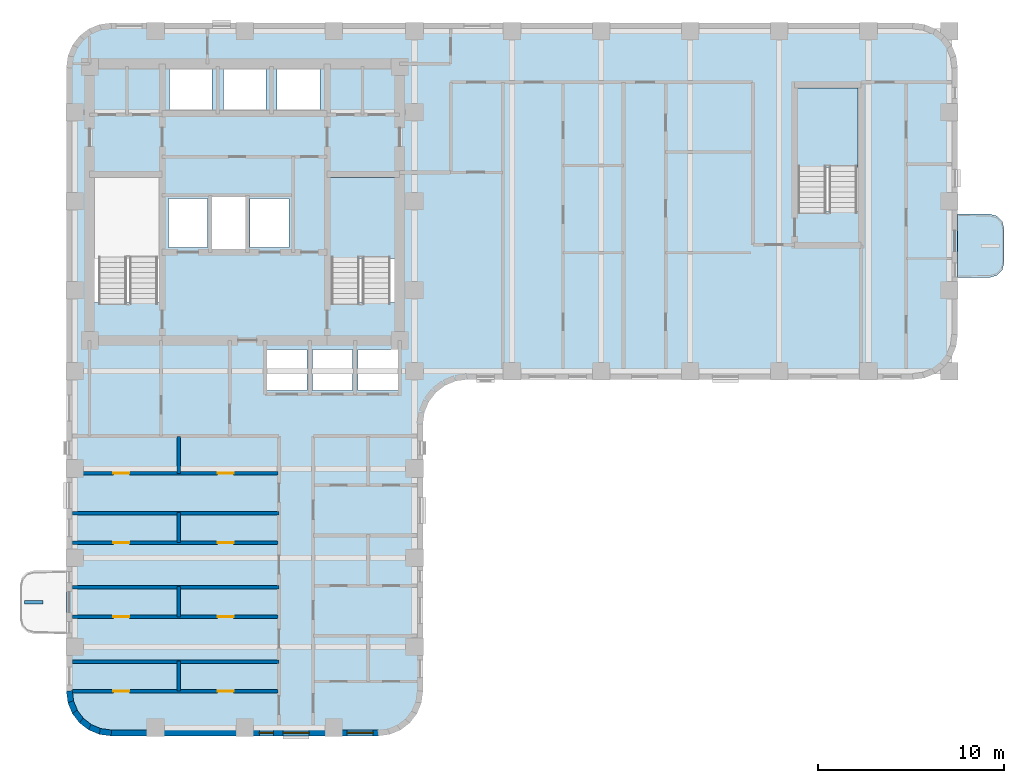
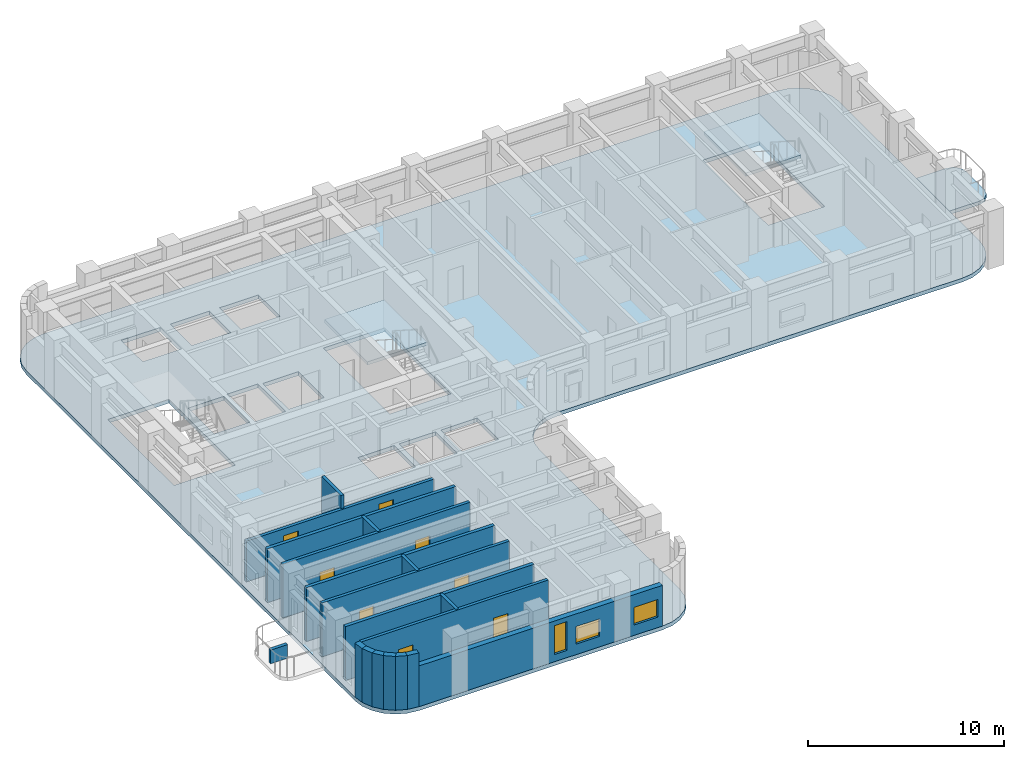
# One storey, part 2 of 10: 19 walls, 8 doors, 4 slabs, 3 windows, 11 openings, 2 elements without a shape of their own.
"""IFC4 building model written with IfcOpenShell, lengths in metres."""

from ifc_helpers import new_model, si_unit, direction, frame, frame_2d, origin, place, context, subcontext, project, spatial, polyline, rectangle, outline, extrude, material, layer, layer_set, type_object, element, fill, aggregate, save


model = new_model("IFC4")

# Units and contexts
model_context = context("Model", 3, precision=1e-05, world=origin(), true_north=direction((0.0, 1.0)))
body_context = subcontext(model_context, "Body", "Model", "MODEL_VIEW")
ifc_project = project(units=[si_unit("LENGTHUNIT", "METRE"), si_unit("AREAUNIT", "SQUARE_METRE"), si_unit("VOLUMEUNIT", "CUBIC_METRE"), si_unit("PLANEANGLEUNIT", "RADIAN"), si_unit("MASSUNIT", "GRAM", prefix="KILO")], contexts=[model_context])

# Site, building, storey
site_placement = place(None, origin())
site = spatial("IfcSite", under=ifc_project, at=site_placement, CompositionType="ELEMENT")
building_placement = place(site_placement, origin())
building = spatial("IfcBuilding", under=site, at=building_placement, Name="Orvandelia Arch Residences", CompositionType="ELEMENT")
storey_placement = place(building_placement, frame((0.0, 0.0, 110.800048828125)))
storey = spatial("IfcBuildingStorey", under=building, at=storey_placement, Name="L28", CompositionType="ELEMENT", Elevation=110.800048828125)

# Slab
ifc_material_1 = material(Name="Precast concrete C40/50", Category="concrete")
ifc_layer_1 = layer(ifc_material_1, 0.219970703125, Name="Precast concrete C40/50", Category="concrete")
ifc_layer_set_1 = layer_set([ifc_layer_1], Name="Precast concrete C40/50")
slab_type_1 = type_object("IfcSlabType", Name="SLB-BAL-220", PredefinedType="USERDEFINED", material=ifc_layer_set_1)
slab_1_placement = place(storey_placement, frame((0.0, 0.0, -0.219970703125)))
element("IfcSlab", 1, at=slab_1_placement, inside=storey, type_object=slab_type_1, Name="Tree Balcony Cantilever Slab BAL-L28-E1", ObjectType="BALCONY", PredefinedType="USERDEFINED", context=body_context, shape_type="SweptSolid", body=[
    extrude(outline(polyline([(52.800048828125, 37.699951171875), (52.800048828125, 34.300048828125), (54.550048828125, 34.300048828125), (54.925048828125, 34.400390625), (55.199462890625, 34.675048828125), (55.300048828125, 35.050048828125), (55.300048828125, 36.949951171875), (55.199462890625, 37.324951171875), (54.925048828125, 37.599609375), (54.550048828125, 37.699951171875), (52.800048828125, 37.699951171875)])), origin(), (0.0, 0.0, 1.0), 0.219970703125),
])

# Stair, slab
ifc_material_2 = material(Name="Concrete C40/50", Category="concrete")
stair_type = type_object("IfcStairType", Name="STAIR-RC-DOGLEG", PredefinedType="HALF_TURN_STAIR", material=ifc_material_2)
stair_1_placement = place(storey_placement, origin())
stair_1 = element("IfcStair", 2, at=stair_1_placement, inside=storey, type_object=stair_type, Name="L28 Protected Exit Stair ST-2", PredefinedType="HALF_TURN_STAIR")
ifc_layer_2 = layer(ifc_material_2, 0.219970703125, Name="Concrete C40/50", Category="concrete")
ifc_layer_set_2 = layer_set([ifc_layer_2], Name="Concrete C40/50")
slab_type_2 = type_object("IfcSlabType", Name="SLB-LANDING-220", PredefinedType="LANDING", material=ifc_layer_set_2)
slab_2_placement = place(storey_placement, frame((0.0, 0.0, 1.599853515625)))
slab_2 = element("IfcSlab", 3, at=slab_2_placement, type_object=slab_type_2, Name="ST-2 landing 1", PredefinedType="LANDING", context=body_context, shape_type="SweptSolid", body=[
    extrude(outline(polyline([(22.5400390625, 35.31005859375), (22.5400390625, 39.68994140625), (19.0, 39.68994140625), (19.0, 35.31005859375), (22.5400390625, 35.31005859375)])), origin(), (0.0, 0.0, 1.0), 0.2001953125),
])
aggregate(stair_1, [slab_2])

stair_2_placement = place(storey_placement, origin())
stair_2 = element("IfcStair", 4, at=stair_2_placement, inside=storey, type_object=stair_type, Name="L28 East Wing Exit Stair ST-3", PredefinedType="HALF_TURN_STAIR")
slab_3_placement = place(storey_placement, frame((0.0, 0.0, 1.599853515625)))
slab_3 = element("IfcSlab", 5, at=slab_3_placement, type_object=slab_type_2, Name="ST-3 landing 1", PredefinedType="LANDING", context=body_context, shape_type="SweptSolid", body=[
    extrude(outline(polyline([(47.43994140625, 40.2099609375), (47.43994140625, 44.5), (44.179931640625, 44.5), (44.179931640625, 40.2099609375), (47.43994140625, 40.2099609375)])), origin(), (0.0, 0.0, 1.0), 0.2001953125),
])
aggregate(stair_2, [slab_3])

# Slab
ifc_layer_3 = layer(ifc_material_2, 0.239990234375, Name="Concrete C40/50", Category="concrete")
ifc_layer_set_3 = layer_set([ifc_layer_3], Name="Concrete C40/50")
slab_type_3 = type_object("IfcSlabType", Name="SLB-TWR-240", PredefinedType="FLOOR", material=ifc_layer_set_3)
slab_4_placement = place(storey_placement, frame((0.0, 0.0, -0.239990234375)))
element("IfcSlab", 6, at=slab_4_placement, inside=storey, type_object=slab_type_3, Name="Structural Floor Slab L28-1", PredefinedType="FLOOR", context=body_context, shape_type="SweptSolid", body=[
    extrude(outline(polyline([(4.800048828125, 12.0), (4.8818359375, 11.37890625), (5.12158203125, 10.800048828125), (5.5029296875, 10.302978515625), (6.0, 9.92138671875), (6.578857421875, 9.681884765625), (7.199951171875, 9.60009765625), (21.60009765625, 9.60009765625), (22.22119140625, 9.681884765625), (22.800048828125, 9.92138671875), (23.297119140625, 10.302978515625), (23.678466796875, 10.800048828125), (23.918212890625, 11.37890625), (24.0, 12.0), (24.0, 26.39990234375), (24.081787109375, 27.021240234375), (24.321533203125, 27.60009765625), (24.702880859375, 28.09716796875), (25.199951171875, 28.478515625), (25.77880859375, 28.71826171875), (26.39990234375, 28.800048828125), (50.39990234375, 28.800048828125), (51.021240234375, 28.8818359375), (51.60009765625, 29.12158203125), (52.09716796875, 29.5029296875), (52.478515625, 30.0), (52.71826171875, 30.578857421875), (52.800048828125, 31.199951171875), (52.800048828125, 45.60009765625), (52.71826171875, 46.22119140625), (52.478515625, 46.800048828125), (52.09716796875, 47.297119140625), (51.60009765625, 47.678466796875), (51.021240234375, 47.918212890625), (50.39990234375, 48.0), (7.199951171875, 48.0), (6.578857421875, 47.918212890625), (6.0, 47.678466796875), (5.5029296875, 47.297119140625), (5.12158203125, 46.800048828125), (4.8818359375, 46.22119140625), (4.800048828125, 45.60009765625), (4.800048828125, 12.0)]), holes=[polyline([(6.219970703125, 32.949951171875), (9.840087890625, 32.949951171875), (9.840087890625, 39.72998046875), (6.219970703125, 39.72998046875), (6.219970703125, 32.949951171875)]), polyline([(18.9599609375, 32.949951171875), (22.580078125, 32.949951171875), (22.580078125, 39.72998046875), (18.9599609375, 39.72998046875), (18.9599609375, 32.949951171875)]), polyline([(44.139892578125, 37.85009765625), (47.47998046875, 37.85009765625), (47.47998046875, 44.5400390625), (44.139892578125, 44.5400390625), (44.139892578125, 37.85009765625)]), polyline([(12.639892578125, 35.81005859375), (14.4599609375, 35.81005859375), (14.4599609375, 38.639892578125), (12.639892578125, 38.639892578125), (12.639892578125, 35.81005859375)]), polyline([(10.300048828125, 35.89990234375), (12.39990234375, 35.89990234375), (12.39990234375, 38.550048828125), (10.300048828125, 38.550048828125), (10.300048828125, 35.89990234375)]), polyline([(14.699951171875, 35.89990234375), (16.800048828125, 35.89990234375), (16.800048828125, 38.550048828125), (14.699951171875, 38.550048828125), (14.699951171875, 35.89990234375)]), polyline([(10.35009765625, 43.300048828125), (12.64990234375, 43.300048828125), (12.64990234375, 45.5), (10.35009765625, 45.5), (10.35009765625, 43.300048828125)]), polyline([(13.25, 43.300048828125), (15.550048828125, 43.300048828125), (15.550048828125, 45.5), (13.25, 45.5), (13.25, 43.300048828125)]), polyline([(16.14990234375, 43.300048828125), (18.449951171875, 43.300048828125), (18.449951171875, 45.5), (16.14990234375, 45.5), (16.14990234375, 43.300048828125)]), polyline([(15.60009765625, 28.199951171875), (17.75, 28.199951171875), (17.75, 30.39990234375), (15.60009765625, 30.39990234375), (15.60009765625, 28.199951171875)]), polyline([(18.050048828125, 28.199951171875), (20.199951171875, 28.199951171875), (20.199951171875, 30.39990234375), (18.050048828125, 30.39990234375), (18.050048828125, 28.199951171875)]), polyline([(20.5, 28.199951171875), (22.64990234375, 28.199951171875), (22.64990234375, 30.39990234375), (20.5, 30.39990234375), (20.5, 28.199951171875)])]), origin(), (0.0, 0.0, 1.0), 0.239990234375),
])

# Walls
ifc_layer_4 = layer(ifc_material_2, 0.199951171875, Name="Concrete C40/50", Category="concrete")
ifc_layer_set_4 = layer_set([ifc_layer_4], Name="Concrete C40/50")
wall_type_1 = type_object("IfcWallType", Name="WL-DEM-200", PredefinedType="SOLIDWALL", material=ifc_layer_set_4)
for number, where, z_axis, x_axis, name in (
    (7, (5.1201171875, 13.60009765625, 0.0), (0.0, 0.0, 1.0), (1.0, 0.0, 0.0), "Interior Partition Wall WL-L28-DEM-WL-136"),
    (8, (5.1201171875, 17.60009765625, 0.0), (0.0, 0.0, 1.0), (1.0, 0.0, 0.0), "Interior Partition Wall WL-L28-DEM-WL-176"),
    (9, (5.1201171875, 21.60009765625, 0.0), (0.0, 0.0, 1.0), (1.0, 0.0, 0.0), "Interior Partition Wall WL-L28-DEM-WL-216"),
):
    element("IfcWall", number, at=place(storey_placement, frame(where, z_axis=z_axis, x_axis=x_axis)), inside=storey, type_object=wall_type_1, Name=name, PredefinedType="SOLIDWALL", context=body_context, shape_type="SweptSolid", body=[
        extrude(rectangle(XDim=11.1298828125, YDim=0.199951171875, at=frame_2d((5.56494140625, 0.0))), origin(), (0.0, 0.0, 1.0), 3.35986328125),
    ])

# Wall, openings, windows
ifc_layer_5 = layer(ifc_material_1, 0.320068359375, Name="Precast concrete C40/50", Category="concrete")
ifc_layer_set_5 = layer_set([ifc_layer_5], Name="Precast concrete C40/50")
wall_type_2 = type_object("IfcWallType", Name="WL-EXT-STONE-320", PredefinedType="STANDARD", material=ifc_layer_set_5)
wall_1_placement = place(storey_placement, frame((21.60009765625, 9.760009765625, 0.0), z_axis=(0.0, 0.0, 1.0), x_axis=(-1.0, 0.0, 0.0)))
wall_1 = element("IfcWall", 10, at=wall_1_placement, inside=storey, type_object=wall_type_2, Name="Coral-Limestone Precast Facade Wall L28-035", PredefinedType="STANDARD", context=body_context, shape_type="SweptSolid", body=[
    extrude(rectangle(XDim=14.400146484375, YDim=0.320068359375, at=frame_2d((7.2001953125, 0.0))), origin(), (0.0, 0.0, 1.0), 2.5400390625),
])
opening_1_placement = place(wall_1_placement, frame((5.652587890625, 0.0, 0.449951171875)))
opening_1 = element("IfcOpeningElement", 11, at=opening_1_placement, cuts=wall_1, Name="Opening W11", PredefinedType="OPENING", context=body_context, shape_type="SweptSolid", body=[
    extrude(rectangle(XDim=0.75, YDim=1.800048828125, at=frame_2d((0.375, 0.89990234375))), frame((0.0, 0.169921875, 0.0), z_axis=(0.0, -1.0, 0.0), x_axis=(1.0, 0.0, 0.0)), (0.0, 0.0, 1.0), 0.340087890625),
])
opening_2_placement = place(wall_1_placement, frame((0.282470703125, 0.0, 0.64990234375)))
opening_2 = element("IfcOpeningElement", 12, at=opening_2_placement, cuts=wall_1, Name="Opening W10", PredefinedType="OPENING", context=body_context, shape_type="SweptSolid", body=[
    extrude(rectangle(XDim=1.39990234375, YDim=1.10009765625, at=frame_2d((0.699951171875, 0.550048828125))), frame((0.0, 0.169921875, 0.0), z_axis=(0.0, -1.0, 0.0), x_axis=(1.0, 0.0, 0.0)), (0.0, 0.0, 1.0), 0.340087890625),
])
opening_3_placement = place(wall_1_placement, frame((3.72509765625, 0.0, 0.64990234375)))
opening_3 = element("IfcOpeningElement", 13, at=opening_3_placement, cuts=wall_1, Name="Opening W10", PredefinedType="OPENING", context=body_context, shape_type="SweptSolid", body=[
    extrude(rectangle(XDim=1.39990234375, YDim=1.10009765625, at=frame_2d((0.699951171875, 0.550048828125))), frame((0.0, 0.169921875, 0.0), z_axis=(0.0, -1.0, 0.0), x_axis=(1.0, 0.0, 0.0)), (0.0, 0.0, 1.0), 0.340087890625),
])
ifc_material_3 = material(Name="Tempered Low-E Insulated Glazing", Category="glass")
window_type_1 = type_object("IfcWindowType", Name="WIN-BED-0750x1800", PartitioningType="SINGLE_PANEL", PredefinedType="WINDOW", material=ifc_material_3)
window_1_placement = place(opening_1_placement, origin())
window_1 = element("IfcWindow", 14, at=window_1_placement, inside=storey, type_object=window_type_1, Name="Recessed Punched Window L28-019", OverallHeight=1.800048828125, OverallWidth=0.75, PartitioningType="SINGLE_PANEL", PredefinedType="WINDOW", context=body_context, shape_type="SweptSolid", body=[
    extrude(rectangle(XDim=0.75, YDim=1.800048828125, at=frame_2d((0.375, 0.89990234375))), frame((0.0, 0.030029296875, 0.0), z_axis=(0.0, -1.0, 0.0), x_axis=(1.0, 0.0, 0.0)), (0.0, 0.0, 1.0), 0.06005859375),
])
fill(opening_1, window_1)
window_type_2 = type_object("IfcWindowType", Name="WIN-CLR-1400x1100", PartitioningType="SINGLE_PANEL", PredefinedType="WINDOW", material=ifc_material_3)
window_2_placement = place(opening_2_placement, origin())
window_2 = element("IfcWindow", 15, at=window_2_placement, inside=storey, type_object=window_type_2, Name="Recessed Punched Window L28-020", OverallHeight=1.10009765625, OverallWidth=1.39990234375, PartitioningType="SINGLE_PANEL", PredefinedType="WINDOW", context=body_context, shape_type="SweptSolid", body=[
    extrude(rectangle(XDim=1.39990234375, YDim=1.10009765625, at=frame_2d((0.699951171875, 0.550048828125))), frame((0.0, 0.030029296875, 0.0), z_axis=(0.0, -1.0, 0.0), x_axis=(1.0, 0.0, 0.0)), (0.0, 0.0, 1.0), 0.06005859375),
])
fill(opening_2, window_2)
window_3_placement = place(opening_3_placement, origin())
window_3 = element("IfcWindow", 16, at=window_3_placement, inside=storey, type_object=window_type_2, Name="Recessed Punched Window L28-021", OverallHeight=1.10009765625, OverallWidth=1.39990234375, PartitioningType="SINGLE_PANEL", PredefinedType="WINDOW", context=body_context, shape_type="SweptSolid", body=[
    extrude(rectangle(XDim=1.39990234375, YDim=1.10009765625, at=frame_2d((0.699951171875, 0.550048828125))), frame((0.0, 0.030029296875, 0.0), z_axis=(0.0, -1.0, 0.0), x_axis=(1.0, 0.0, 0.0)), (0.0, 0.0, 1.0), 0.06005859375),
])
fill(opening_3, window_3)

# Walls
wall_2_placement = place(storey_placement, frame((7.220947265625, 9.758544921875, 0.0), z_axis=(0.0, 0.0, 1.0), x_axis=(-0.991447664465, 0.130504898859, 0.0)))
element("IfcWall", 17, at=wall_2_placement, inside=storey, type_object=wall_type_2, Name="Coral-Limestone Precast Facade Wall L28-036", PredefinedType="STANDARD", context=body_context, shape_type="SweptSolid", body=[
    extrude(rectangle(XDim=0.626708984375, YDim=0.320068359375, at=frame_2d((0.3134765625, 0.0))), origin(), (0.0, 0.0, 1.0), 3.35986328125),
])
wall_3_placement = place(storey_placement, frame((6.639892578125, 9.82958984375, 0.0), z_axis=(0.0, 0.0, 1.0), x_axis=(-0.923836271867, 0.382787856107, 0.0)))
element("IfcWall", 18, at=wall_3_placement, inside=storey, type_object=wall_type_2, Name="Coral-Limestone Precast Facade Wall L28-037", PredefinedType="STANDARD", context=body_context, shape_type="SweptSolid", body=[
    extrude(rectangle(XDim=0.626220703125, YDim=0.320068359375, at=frame_2d((0.31298828125, 0.0))), origin(), (0.0, 0.0, 1.0), 3.35986328125),
])
wall_4_placement = place(storey_placement, frame((6.097412109375, 10.04833984375, 0.0), z_axis=(0.0, 0.0, 1.0), x_axis=(-0.793405610854, 0.608693302629, 0.0)))
element("IfcWall", 19, at=wall_4_placement, inside=storey, type_object=wall_type_2, Name="Coral-Limestone Precast Facade Wall L28-038", PredefinedType="STANDARD", context=body_context, shape_type="SweptSolid", body=[
    extrude(rectangle(XDim=0.62646484375, YDim=0.320068359375, at=frame_2d((0.313232421875, 0.0))), origin(), (0.0, 0.0, 1.0), 3.35986328125),
])
wall_5_placement = place(storey_placement, frame((5.6298828125, 10.400390625, 0.0), z_axis=(0.0, 0.0, 1.0), x_axis=(-0.608938521285, 0.7932174212, 0.0)))
element("IfcWall", 20, at=wall_5_placement, inside=storey, type_object=wall_type_2, Name="Coral-Limestone Precast Facade Wall L28-039", PredefinedType="STANDARD", context=body_context, shape_type="SweptSolid", body=[
    extrude(rectangle(XDim=0.626708984375, YDim=0.320068359375, at=frame_2d((0.3134765625, 0.0))), origin(), (0.0, 0.0, 1.0), 3.35986328125),
])
wall_6_placement = place(storey_placement, frame((5.269287109375, 10.861083984375, 0.0), z_axis=(0.0, 0.0, 1.0), x_axis=(-0.382650053678, 0.92389335771, 0.0)))
element("IfcWall", 21, at=wall_6_placement, inside=storey, type_object=wall_type_2, Name="Coral-Limestone Precast Facade Wall L28-040", PredefinedType="STANDARD", context=body_context, shape_type="SweptSolid", body=[
    extrude(rectangle(XDim=0.62646484375, YDim=0.320068359375, at=frame_2d((0.313232421875, 0.0))), origin(), (0.0, 0.0, 1.0), 3.35986328125),
])
wall_7_placement = place(storey_placement, frame((5.040283203125, 11.399658203125, 0.0), z_axis=(0.0, 0.0, 1.0), x_axis=(-0.130504898859, 0.991447664465, 0.0)))
element("IfcWall", 22, at=wall_7_placement, inside=storey, type_object=wall_type_2, Name="Coral-Limestone Precast Facade Wall L28-041", PredefinedType="STANDARD", context=body_context, shape_type="SweptSolid", body=[
    extrude(rectangle(XDim=0.626708984375, YDim=0.320068359375, at=frame_2d((0.3134765625, 0.0))), origin(), (0.0, 0.0, 1.0), 3.35986328125),
])
ifc_layer_6 = layer(ifc_material_1, 0.199951171875, Name="Precast concrete C40/50", Category="concrete")
ifc_layer_set_6 = layer_set([ifc_layer_6], Name="Precast concrete C40/50")
wall_type_3 = type_object("IfcWallType", Name="WL-PLANTER-200", PredefinedType="MOVABLE", material=ifc_layer_set_6)
wall_8_placement = place(storey_placement, frame((2.550048828125, 16.800048828125, 0.0), z_axis=(0.0, 0.0, 1.0), x_axis=(1.0, 0.0, 0.0)))
element("IfcWall", 23, at=wall_8_placement, inside=storey, type_object=wall_type_3, Name="Balcony Precast Tree Planter BAL-L28-W1", PredefinedType="MOVABLE", context=body_context, shape_type="SweptSolid", body=[
    extrude(rectangle(XDim=1.0, YDim=0.199951171875, at=frame_2d((0.5, 0.0))), origin(), (0.0, 0.0, 1.0), 0.849853515625),
])

# Wall, openings, doors
ifc_material_4 = material(Name="Moisture-Resistant Plumbing Wall")
ifc_layer_7 = layer(ifc_material_4, 0.179931640625, Name="Moisture-Resistant Plumbing Wall")
ifc_layer_set_7 = layer_set([ifc_layer_7], Name="Moisture-Resistant Plumbing Wall")
wall_type_4 = type_object("IfcWallType", Name="WL-WET-180", PredefinedType="PLUMBINGWALL", material=ifc_layer_set_7)
wall_9_placement = place(storey_placement, frame((5.139892578125, 12.010009765625, 0.0), z_axis=(0.0, 0.0, 1.0), x_axis=(1.0, 0.0, 0.0)))
wall_9 = element("IfcWall", 24, at=wall_9_placement, inside=storey, type_object=wall_type_4, Name="Interior Partition Wall WL-L28-U01-HZ", PredefinedType="PLUMBINGWALL", context=body_context, shape_type="SweptSolid", body=[
    extrude(rectangle(XDim=11.050048828125, YDim=0.179931640625, at=frame_2d((5.52490234375, 0.0))), origin(), (0.0, 0.0, 1.0), 3.35986328125),
])
opening_4_placement = place(wall_9_placement, frame((2.18896484375, 0.0, 0.0)))
opening_4 = element("IfcOpeningElement", 25, at=opening_4_placement, cuts=wall_9, Name="Opening D4", PredefinedType="OPENING", context=body_context, shape_type="SweptSolid", body=[
    extrude(rectangle(XDim=0.860107421875, YDim=2.10009765625, at=frame_2d((0.43017578125, 1.050048828125))), frame((0.0, 0.10009765625, 0.0), z_axis=(0.0, -1.0, 0.0), x_axis=(1.0, 0.0, 0.0)), (0.0, 0.0, 1.0), 0.199951171875),
])
opening_5_placement = place(wall_9_placement, frame((7.803955078125, 0.0, 0.0)))
opening_5 = element("IfcOpeningElement", 26, at=opening_5_placement, cuts=wall_9, Name="Opening D4", PredefinedType="OPENING", context=body_context, shape_type="SweptSolid", body=[
    extrude(rectangle(XDim=0.860107421875, YDim=2.10009765625, at=frame_2d((0.43017578125, 1.050048828125))), frame((0.0, 0.10009765625, 0.0), z_axis=(0.0, -1.0, 0.0), x_axis=(1.0, 0.0, 0.0)), (0.0, 0.0, 1.0), 0.199951171875),
])
ifc_material_5 = material(Name="Moisture-Sealed Timber Bathroom Door", Category="wood")
door_type = type_object("IfcDoorType", Name="DR-WET-900", OperationType="NOTDEFINED", PredefinedType="DOOR", material=ifc_material_5)
door_1_placement = place(opening_4_placement, origin())
door_1 = element("IfcDoor", 27, at=door_1_placement, inside=storey, type_object=door_type, Name="DR-L28-U01-KIT", OperationType="SINGLE_SWING_LEFT", OverallHeight=2.10009765625, OverallWidth=0.860107421875, PredefinedType="DOOR", context=body_context, shape_type="SweptSolid", body=[
    extrude(rectangle(XDim=0.860107421875, YDim=2.10009765625, at=frame_2d((0.43017578125, 1.050048828125))), frame((0.0, 0.02490234375, 0.0), z_axis=(0.0, -1.0, 0.0), x_axis=(1.0, 0.0, 0.0)), (0.0, 0.0, 1.0), 0.050048828125),
])
fill(opening_4, door_1)
door_2_placement = place(opening_5_placement, origin())
door_2 = element("IfcDoor", 28, at=door_2_placement, inside=storey, type_object=door_type, Name="DR-L28-U01-BTH", OperationType="SINGLE_SWING_RIGHT", OverallHeight=2.10009765625, OverallWidth=0.860107421875, PredefinedType="DOOR", context=body_context, shape_type="SweptSolid", body=[
    extrude(rectangle(XDim=0.860107421875, YDim=2.10009765625, at=frame_2d((0.43017578125, 1.050048828125))), frame((0.0, 0.02490234375, 0.0), z_axis=(0.0, -1.0, 0.0), x_axis=(1.0, 0.0, 0.0)), (0.0, 0.0, 1.0), 0.050048828125),
])
fill(opening_5, door_2)

# Wall
wall_10_placement = place(storey_placement, frame((10.847900390625, 12.010009765625, 0.0), z_axis=(0.0, 0.0, 1.0), x_axis=(0.0, 1.0, 0.0)))
element("IfcWall", 29, at=wall_10_placement, inside=storey, type_object=wall_type_4, Name="Interior Partition Wall WL-L28-U01-V1", PredefinedType="PLUMBINGWALL", context=body_context, shape_type="SweptSolid", body=[
    extrude(rectangle(XDim=1.6298828125, YDim=0.179931640625, at=frame_2d((0.81494140625, 0.0))), origin(), (0.0, 0.0, 1.0), 3.35986328125),
])

# Wall, openings, doors
wall_11_placement = place(storey_placement, frame((5.1201171875, 16.010009765625, 0.0), z_axis=(0.0, 0.0, 1.0), x_axis=(1.0, 0.0, 0.0)))
wall_11 = element("IfcWall", 30, at=wall_11_placement, inside=storey, type_object=wall_type_4, Name="Interior Partition Wall WL-L28-U02-HZ", PredefinedType="PLUMBINGWALL", context=body_context, shape_type="SweptSolid", body=[
    extrude(rectangle(XDim=11.06982421875, YDim=0.179931640625, at=frame_2d((5.534912109375, 0.0))), origin(), (0.0, 0.0, 1.0), 3.35986328125),
])
opening_6_placement = place(wall_11_placement, frame((2.208984375, 0.0, 0.0)))
opening_6 = element("IfcOpeningElement", 31, at=opening_6_placement, cuts=wall_11, Name="Opening D4", PredefinedType="OPENING", context=body_context, shape_type="SweptSolid", body=[
    extrude(rectangle(XDim=0.860107421875, YDim=2.10009765625, at=frame_2d((0.43017578125, 1.050048828125))), frame((0.0, 0.10009765625, 0.0), z_axis=(0.0, -1.0, 0.0), x_axis=(1.0, 0.0, 0.0)), (0.0, 0.0, 1.0), 0.199951171875),
])
opening_7_placement = place(wall_11_placement, frame((7.823974609375, 0.0, 0.0)))
opening_7 = element("IfcOpeningElement", 32, at=opening_7_placement, cuts=wall_11, Name="Opening D4", PredefinedType="OPENING", context=body_context, shape_type="SweptSolid", body=[
    extrude(rectangle(XDim=0.860107421875, YDim=2.10009765625, at=frame_2d((0.43017578125, 1.050048828125))), frame((0.0, 0.10009765625, 0.0), z_axis=(0.0, -1.0, 0.0), x_axis=(1.0, 0.0, 0.0)), (0.0, 0.0, 1.0), 0.199951171875),
])
door_3_placement = place(opening_6_placement, origin())
door_3 = element("IfcDoor", 33, at=door_3_placement, inside=storey, type_object=door_type, Name="DR-L28-U02-KIT", OperationType="SINGLE_SWING_RIGHT", OverallHeight=2.10009765625, OverallWidth=0.860107421875, PredefinedType="DOOR", context=body_context, shape_type="SweptSolid", body=[
    extrude(rectangle(XDim=0.860107421875, YDim=2.10009765625, at=frame_2d((0.43017578125, 1.050048828125))), frame((0.0, 0.02490234375, 0.0), z_axis=(0.0, -1.0, 0.0), x_axis=(1.0, 0.0, 0.0)), (0.0, 0.0, 1.0), 0.050048828125),
])
fill(opening_6, door_3)
door_4_placement = place(opening_7_placement, origin())
door_4 = element("IfcDoor", 34, at=door_4_placement, inside=storey, type_object=door_type, Name="DR-L28-U02-BTH", OperationType="SINGLE_SWING_LEFT", OverallHeight=2.10009765625, OverallWidth=0.860107421875, PredefinedType="DOOR", context=body_context, shape_type="SweptSolid", body=[
    extrude(rectangle(XDim=0.860107421875, YDim=2.10009765625, at=frame_2d((0.43017578125, 1.050048828125))), frame((0.0, 0.02490234375, 0.0), z_axis=(0.0, -1.0, 0.0), x_axis=(1.0, 0.0, 0.0)), (0.0, 0.0, 1.0), 0.050048828125),
])
fill(opening_7, door_4)

# Wall
wall_12_placement = place(storey_placement, frame((10.847900390625, 16.010009765625, 0.0), z_axis=(0.0, 0.0, 1.0), x_axis=(0.0, 1.0, 0.0)))
element("IfcWall", 35, at=wall_12_placement, inside=storey, type_object=wall_type_4, Name="Interior Partition Wall WL-L28-U02-V1", PredefinedType="PLUMBINGWALL", context=body_context, shape_type="SweptSolid", body=[
    extrude(rectangle(XDim=1.6298828125, YDim=0.179931640625, at=frame_2d((0.81494140625, 0.0))), origin(), (0.0, 0.0, 1.0), 3.35986328125),
])

# Wall, openings, doors
wall_13_placement = place(storey_placement, frame((5.1201171875, 20.010009765625, 0.0), z_axis=(0.0, 0.0, 1.0), x_axis=(1.0, 0.0, 0.0)))
wall_13 = element("IfcWall", 36, at=wall_13_placement, inside=storey, type_object=wall_type_4, Name="Interior Partition Wall WL-L28-U03-HZ", PredefinedType="PLUMBINGWALL", context=body_context, shape_type="SweptSolid", body=[
    extrude(rectangle(XDim=11.06982421875, YDim=0.179931640625, at=frame_2d((5.534912109375, 0.0))), origin(), (0.0, 0.0, 1.0), 3.35986328125),
])
opening_8_placement = place(wall_13_placement, frame((2.208984375, 0.0, 0.0)))
opening_8 = element("IfcOpeningElement", 37, at=opening_8_placement, cuts=wall_13, Name="Opening D4", PredefinedType="OPENING", context=body_context, shape_type="SweptSolid", body=[
    extrude(rectangle(XDim=0.860107421875, YDim=2.10009765625, at=frame_2d((0.43017578125, 1.050048828125))), frame((0.0, 0.10009765625, 0.0), z_axis=(0.0, -1.0, 0.0), x_axis=(1.0, 0.0, 0.0)), (0.0, 0.0, 1.0), 0.199951171875),
])
opening_9_placement = place(wall_13_placement, frame((7.823974609375, 0.0, 0.0)))
opening_9 = element("IfcOpeningElement", 38, at=opening_9_placement, cuts=wall_13, Name="Opening D4", PredefinedType="OPENING", context=body_context, shape_type="SweptSolid", body=[
    extrude(rectangle(XDim=0.860107421875, YDim=2.10009765625, at=frame_2d((0.43017578125, 1.050048828125))), frame((0.0, 0.10009765625, 0.0), z_axis=(0.0, -1.0, 0.0), x_axis=(1.0, 0.0, 0.0)), (0.0, 0.0, 1.0), 0.199951171875),
])
door_5_placement = place(opening_8_placement, origin())
door_5 = element("IfcDoor", 39, at=door_5_placement, inside=storey, type_object=door_type, Name="DR-L28-U03-KIT", OperationType="SINGLE_SWING_LEFT", OverallHeight=2.10009765625, OverallWidth=0.860107421875, PredefinedType="DOOR", context=body_context, shape_type="SweptSolid", body=[
    extrude(rectangle(XDim=0.860107421875, YDim=2.10009765625, at=frame_2d((0.43017578125, 1.050048828125))), frame((0.0, 0.02490234375, 0.0), z_axis=(0.0, -1.0, 0.0), x_axis=(1.0, 0.0, 0.0)), (0.0, 0.0, 1.0), 0.050048828125),
])
fill(opening_8, door_5)
door_6_placement = place(opening_9_placement, origin())
door_6 = element("IfcDoor", 40, at=door_6_placement, inside=storey, type_object=door_type, Name="DR-L28-U03-BTH", OperationType="SINGLE_SWING_RIGHT", OverallHeight=2.10009765625, OverallWidth=0.860107421875, PredefinedType="DOOR", context=body_context, shape_type="SweptSolid", body=[
    extrude(rectangle(XDim=0.860107421875, YDim=2.10009765625, at=frame_2d((0.43017578125, 1.050048828125))), frame((0.0, 0.02490234375, 0.0), z_axis=(0.0, -1.0, 0.0), x_axis=(1.0, 0.0, 0.0)), (0.0, 0.0, 1.0), 0.050048828125),
])
fill(opening_9, door_6)

# Wall
wall_14_placement = place(storey_placement, frame((10.847900390625, 20.010009765625, 0.0), z_axis=(0.0, 0.0, 1.0), x_axis=(0.0, 1.0, 0.0)))
element("IfcWall", 41, at=wall_14_placement, inside=storey, type_object=wall_type_4, Name="Interior Partition Wall WL-L28-U03-V1", PredefinedType="PLUMBINGWALL", context=body_context, shape_type="SweptSolid", body=[
    extrude(rectangle(XDim=1.6298828125, YDim=0.179931640625, at=frame_2d((0.81494140625, 0.0))), origin(), (0.0, 0.0, 1.0), 3.35986328125),
])

# Wall, openings, doors
wall_15_placement = place(storey_placement, frame((5.1201171875, 23.739990234375, 0.0), z_axis=(0.0, 0.0, 1.0), x_axis=(1.0, 0.0, 0.0)))
wall_15 = element("IfcWall", 42, at=wall_15_placement, inside=storey, type_object=wall_type_4, Name="Interior Partition Wall WL-L28-U04-HZ", PredefinedType="PLUMBINGWALL", context=body_context, shape_type="SweptSolid", body=[
    extrude(rectangle(XDim=11.06982421875, YDim=0.179931640625, at=frame_2d((5.534912109375, 0.0))), origin(), (0.0, 0.0, 1.0), 2.5400390625),
])
opening_10_placement = place(wall_15_placement, frame((2.208984375, 0.0, 0.0)))
opening_10 = element("IfcOpeningElement", 43, at=opening_10_placement, cuts=wall_15, Name="Opening D4", PredefinedType="OPENING", context=body_context, shape_type="SweptSolid", body=[
    extrude(rectangle(XDim=0.860107421875, YDim=2.10009765625, at=frame_2d((0.43017578125, 1.050048828125))), frame((0.0, 0.10009765625, 0.0), z_axis=(0.0, -1.0, 0.0), x_axis=(1.0, 0.0, 0.0)), (0.0, 0.0, 1.0), 0.199951171875),
])
opening_11_placement = place(wall_15_placement, frame((7.823974609375, 0.0, 0.0)))
opening_11 = element("IfcOpeningElement", 44, at=opening_11_placement, cuts=wall_15, Name="Opening D4", PredefinedType="OPENING", context=body_context, shape_type="SweptSolid", body=[
    extrude(rectangle(XDim=0.860107421875, YDim=2.10009765625, at=frame_2d((0.43017578125, 1.050048828125))), frame((0.0, 0.10009765625, 0.0), z_axis=(0.0, -1.0, 0.0), x_axis=(1.0, 0.0, 0.0)), (0.0, 0.0, 1.0), 0.199951171875),
])
door_7_placement = place(opening_10_placement, origin())
door_7 = element("IfcDoor", 45, at=door_7_placement, inside=storey, type_object=door_type, Name="DR-L28-U04-KIT", OperationType="SINGLE_SWING_RIGHT", OverallHeight=2.10009765625, OverallWidth=0.860107421875, PredefinedType="DOOR", context=body_context, shape_type="SweptSolid", body=[
    extrude(rectangle(XDim=0.860107421875, YDim=2.10009765625, at=frame_2d((0.43017578125, 1.050048828125))), frame((0.0, 0.02490234375, 0.0), z_axis=(0.0, -1.0, 0.0), x_axis=(1.0, 0.0, 0.0)), (0.0, 0.0, 1.0), 0.050048828125),
])
fill(opening_10, door_7)
door_8_placement = place(opening_11_placement, origin())
door_8 = element("IfcDoor", 46, at=door_8_placement, inside=storey, type_object=door_type, Name="DR-L28-U04-BTH", OperationType="SINGLE_SWING_LEFT", OverallHeight=2.10009765625, OverallWidth=0.860107421875, PredefinedType="DOOR", context=body_context, shape_type="SweptSolid", body=[
    extrude(rectangle(XDim=0.860107421875, YDim=2.10009765625, at=frame_2d((0.43017578125, 1.050048828125))), frame((0.0, 0.02490234375, 0.0), z_axis=(0.0, -1.0, 0.0), x_axis=(1.0, 0.0, 0.0)), (0.0, 0.0, 1.0), 0.050048828125),
])
fill(opening_11, door_8)

# Wall
wall_16_placement = place(storey_placement, frame((10.847900390625, 23.739990234375, 0.0), z_axis=(0.0, 0.0, 1.0), x_axis=(0.0, 1.0, 0.0)))
element("IfcWall", 47, at=wall_16_placement, inside=storey, type_object=wall_type_4, Name="Interior Partition Wall WL-L28-U04-V1", PredefinedType="PLUMBINGWALL", context=body_context, shape_type="SweptSolid", body=[
    extrude(rectangle(XDim=1.97998046875, YDim=0.179931640625, at=frame_2d((0.989990234375, 0.0))), origin(), (0.0, 0.0, 1.0), 3.35986328125),
])

save(model, "model.ifc")
